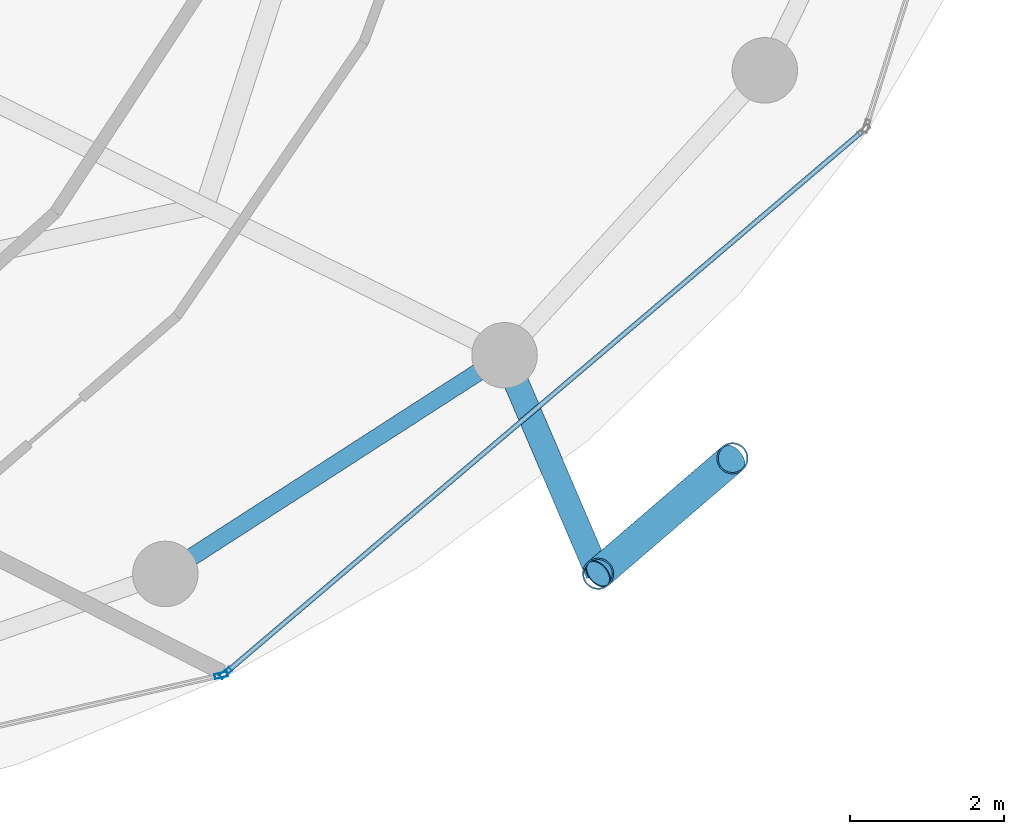
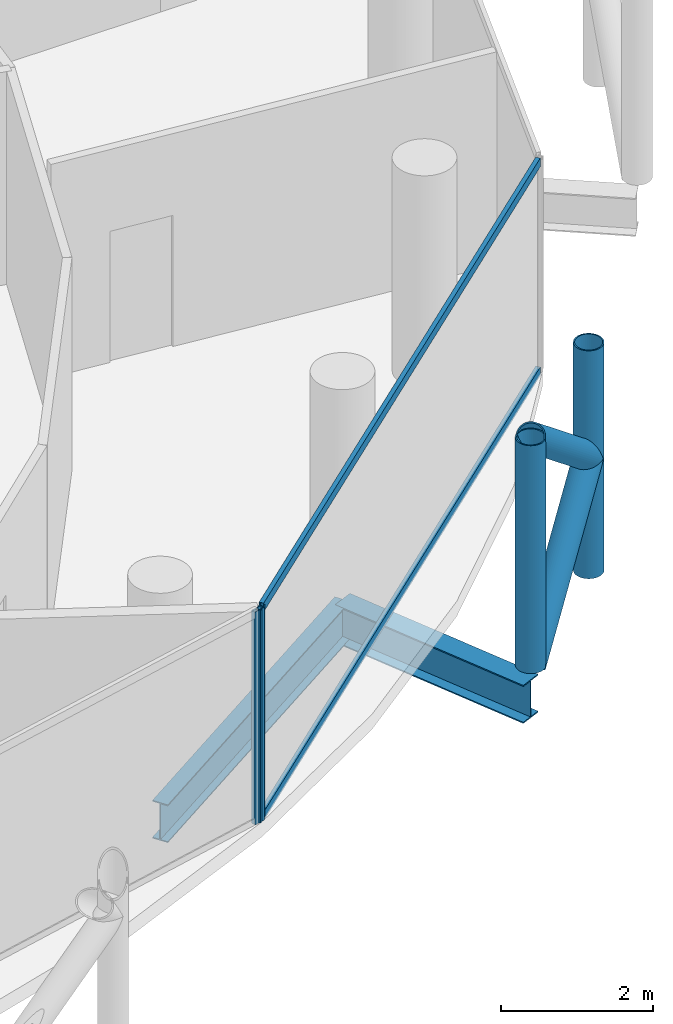
# One storey, part 11 of 27: 8 members, 2 beams, 2 elements without a shape of their own.
"""IFC4 building model written with IfcOpenShell, lengths in metres."""

from ifc_helpers import new_model, si_unit, direction, frame, origin, origin_2d, place, context, subcontext, project, spatial, hollow_rectangle, hollow_circle, i_section, extrude, material, layer, layer_set, material_profile, profile_set, type_object, element, aggregate, save


model = new_model("IFC4")

# Units and contexts
model_context = context("Model", 3, precision=1e-05, world=origin(), true_north=direction((0.0, 1.0)))
body_context = subcontext(model_context, "Body", "Model", "MODEL_VIEW")
ifc_project = project(units=[si_unit("LENGTHUNIT", "METRE"), si_unit("AREAUNIT", "SQUARE_METRE"), si_unit("VOLUMEUNIT", "CUBIC_METRE"), si_unit("PLANEANGLEUNIT", "RADIAN"), si_unit("MASSUNIT", "GRAM", prefix="KILO")], contexts=[model_context])

# Site, building, storey
site_placement = place(None, origin())
site = spatial("IfcSite", under=ifc_project, at=site_placement, CompositionType="ELEMENT")
building_placement = place(site_placement, origin())
building = spatial("IfcBuilding", under=site, at=building_placement, Name="Nuhasar Tower", CompositionType="ELEMENT")
storey_placement = place(building_placement, frame((0.0, 0.0, 219.10009765625)))
storey = spatial("IfcBuildingStorey", under=building, at=storey_placement, Name="L53", CompositionType="ELEMENT", Elevation=219.10009765625)

# Beams
ifc_material_1 = material(Name="Steel S355", Category="steel")
ifc_material_profile_1 = material_profile(ifc_material_1, i_section(OverallWidth=0.22802734375, OverallDepth=0.60791015625, WebThickness=0.01123046875, FlangeThickness=0.017333984375, at=origin_2d()), Name="W24X76")
ifc_profile_set_1 = profile_set([ifc_material_profile_1], Name="Steel S355")
beam_type_1 = type_object("IfcBeamType", Name="BM-RING-W24X76", PredefinedType="SPANDREL", material=ifc_profile_set_1)
beam_1_placement = place(storey_placement, frame((49.625, 11.341064453125, -0.544189453125), z_axis=(0.840502144969, 0.541808217272, 0.0), x_axis=(-0.541808217272, 0.840502144969, 0.0)))
element("IfcBeam", 1, at=beam_1_placement, inside=storey, type_object=beam_type_1, Name="L53 Perimeter Ring Spandrel 21", PredefinedType="SPANDREL", context=body_context, shape_type="SweptSolid", body=[
    extrude(i_section(OverallWidth=0.22802734375, OverallDepth=0.60791015625, WebThickness=0.01123046875, FlangeThickness=0.017333984375, at=origin_2d()), origin(), (0.0, 0.0, 1.0), 5.236083984375),
])
ifc_material_profile_2 = material_profile(ifc_material_1, i_section(OverallWidth=0.323974609375, OverallDepth=0.611083984375, WebThickness=0.0126953125, FlangeThickness=0.01904296875, at=origin_2d()), Name="W24X104")
ifc_profile_set_2 = profile_set([ifc_material_profile_2], Name="Steel S355")
beam_type_2 = type_object("IfcBeamType", Name="BM-TIE-W24X104", PredefinedType="BEAM", material=ifc_profile_set_2)
beam_2_placement = place(storey_placement, frame((54.02587890625, 14.177978515625, -0.545166015625), z_axis=(0.393680429682, -0.919247365667, 0.0), x_axis=(0.919247365667, 0.393680429682, 0.0)))
element("IfcBeam", 2, at=beam_2_placement, inside=storey, type_object=beam_type_2, Name="L53 Exoskeleton Node Tie Beam 11", PredefinedType="BEAM", context=body_context, shape_type="SweptSolid", body=[
    extrude(i_section(OverallWidth=0.323974609375, OverallDepth=0.611083984375, WebThickness=0.0126953125, FlangeThickness=0.01904296875, at=origin_2d()), origin(), (0.0, 0.0, 1.0), 3.083984375),
])

# Curtain wall, member
ifc_material_2 = material(Name="Aluminium 6063-T6", Category="aluminium")
ifc_layer = layer(ifc_material_2, 0.18994140625)
ifc_layer_set = layer_set([ifc_layer], Name="Aluminium 6063-T6")
curtain_wall_type = type_object("IfcCurtainWallType", Name="CW-Z3-RES", PredefinedType="NOTDEFINED", material=ifc_layer_set)
curtain_wall_1_placement = place(storey_placement, origin())
curtain_wall_1 = element("IfcCurtainWall", 3, at=curtain_wall_1_placement, inside=storey, type_object=curtain_wall_type, Name="L53 Unitised Curtain Wall 10", PredefinedType="NOTDEFINED")
ifc_material_profile_3 = material_profile(ifc_material_2, hollow_rectangle(XDim=0.06494140625, YDim=0.169921875, WallThickness=0.0048828125, at=origin_2d()), Name="CWM-4")
ifc_profile_set_3 = profile_set([ifc_material_profile_3], Name="Aluminium 6063-T6")
member_type_1 = type_object("IfcMemberType", Name="CW-MUL-S4", PredefinedType="MULLION", material=ifc_profile_set_3)
member_1_placement = place(storey_placement, frame((50.348388671875, 10.02685546875, 0.0), z_axis=(0.0, 0.0, 1.0), x_axis=(-0.222243176313, 0.974991266926, 0.0)))
member_1 = element("IfcMember", 4, at=member_1_placement, type_object=member_type_1, Name="CW-Z3 mullion 2", PredefinedType="MULLION", context=body_context, shape_type="SweptSolid", body=[
    extrude(hollow_rectangle(XDim=0.06494140625, YDim=0.169921875, WallThickness=0.0048828125, at=origin_2d()), origin(), (0.0, 0.0, 1.0), 3.409912109375),
])
aggregate(curtain_wall_1, [member_1])

# Curtain wall, members
curtain_wall_2_placement = place(storey_placement, origin())
curtain_wall_2 = element("IfcCurtainWall", 5, at=curtain_wall_2_placement, inside=storey, type_object=curtain_wall_type, Name="L53 Unitised Curtain Wall 11", PredefinedType="NOTDEFINED")
member_2_placement = place(storey_placement, frame((50.40478515625, 10.05517578125, 0.0), z_axis=(0.0, 0.0, 1.0), x_axis=(-0.64789521578, 0.761729472562, 0.0)))
member_2 = element("IfcMember", 6, at=member_2_placement, type_object=member_type_1, Name="CW-Z3 mullion 1", PredefinedType="MULLION", context=body_context, shape_type="SweptSolid", body=[
    extrude(hollow_rectangle(XDim=0.06494140625, YDim=0.169921875, WallThickness=0.0048828125, at=origin_2d()), origin(), (0.0, 0.0, 1.0), 3.409912109375),
])
ifc_material_profile_4 = material_profile(ifc_material_2, hollow_rectangle(XDim=0.06494140625, YDim=0.139892578125, WallThickness=0.00439453125, at=origin_2d()), Name="CWT-4")
ifc_profile_set_4 = profile_set([ifc_material_profile_4], Name="Aluminium 6063-T6")
member_type_2 = type_object("IfcMemberType", Name="CW-TRN-S4", PredefinedType="USERDEFINED", material=ifc_profile_set_4)
member_3_placement = place(storey_placement, frame((50.429443359375, 10.076171875, 0.032470703125), z_axis=(0.761730809511, 0.647893643928, 0.0), x_axis=(-0.647893643928, 0.761730809511, 0.0)))
member_3 = element("IfcMember", 7, at=member_3_placement, type_object=member_type_2, Name="CW-Z3 transom 1.1", ObjectType="TRANSOM", PredefinedType="USERDEFINED", context=body_context, shape_type="SweptSolid", body=[
    extrude(hollow_rectangle(XDim=0.06494140625, YDim=0.139892578125, WallThickness=0.00439453125, at=origin_2d()), origin(), (0.0, 0.0, 1.0), 10.806884765625),
])
member_4_placement = place(storey_placement, frame((50.429443359375, 10.076171875, 3.37744140625), z_axis=(0.761730809511, 0.647893643928, 0.0), x_axis=(-0.647893643928, 0.761730809511, 0.0)))
member_4 = element("IfcMember", 8, at=member_4_placement, type_object=member_type_2, Name="CW-Z3 transom 1.2", ObjectType="TRANSOM", PredefinedType="USERDEFINED", context=body_context, shape_type="SweptSolid", body=[
    extrude(hollow_rectangle(XDim=0.06494140625, YDim=0.139892578125, WallThickness=0.00439453125, at=origin_2d()), origin(), (0.0, 0.0, 1.0), 10.806884765625),
])
aggregate(curtain_wall_2, [member_2, member_3, member_4])

# Members
ifc_material_3 = material(Name="Steel S460", Category="steel")
ifc_material_profile_5 = material_profile(ifc_material_3, hollow_circle(Radius=0.203125, WallThickness=0.01904296875, at=origin_2d()), Name="HSS406.4X19.1")
ifc_profile_set_5 = profile_set([ifc_material_profile_5], Name="Steel S460")
member_type_3 = type_object("IfcMemberType", Name="EXO-BRONZE-406", PredefinedType="BRACE", material=ifc_profile_set_5)
for number, where, z_axis, x_axis, name in (
    (9, (55.239990234375, 11.343017578125, 0.0), (0.0, 0.0, 1.0), (1.0, 0.0, 0.0), "L53 Exoskeleton Chord Column EC-11A"),
    (10, (56.98388671875, 12.842041015625, 0.0), (0.0, 0.0, 1.0), (1.0, 0.0, 0.0), "L53 Exoskeleton Chord Column EC-11B"),
):
    element("IfcMember", number, at=place(storey_placement, frame(where, z_axis=z_axis, x_axis=x_axis)), inside=storey, type_object=member_type_3, Name=name, PredefinedType="BRACE", context=body_context, shape_type="SweptSolid", body=[
        extrude(hollow_circle(Radius=0.203125, WallThickness=0.01904296875, at=origin_2d()), origin(), (0.0, 0.0, 1.0), 3.64990234375),
    ])
for number, where, z_axis, x_axis, name in (
    (11, (55.239990234375, 11.343017578125, 0.0), (0.594018535389, 0.510608120858, 0.621627964725), (-0.65185738425, 0.758341579104, 0.0), "L53 Bronze Diagrid Brace W1-11"),
    (12, (56.98388671875, 12.842041015625, 1.824951171875), (-0.594018535389, -0.510608120858, 0.621627964725), (0.65185738425, -0.758341579104, 0.0), "L53 Bronze Diagrid Brace W2-11"),
):
    element("IfcMember", number, at=place(storey_placement, frame(where, z_axis=z_axis, x_axis=x_axis)), inside=storey, type_object=member_type_3, Name=name, PredefinedType="BRACE", context=body_context, shape_type="SweptSolid", body=[
        extrude(hollow_circle(Radius=0.203125, WallThickness=0.01904296875, at=origin_2d()), origin(), (0.0, 0.0, 1.0), 2.935791015625),
    ])

save(model, "model.ifc")
